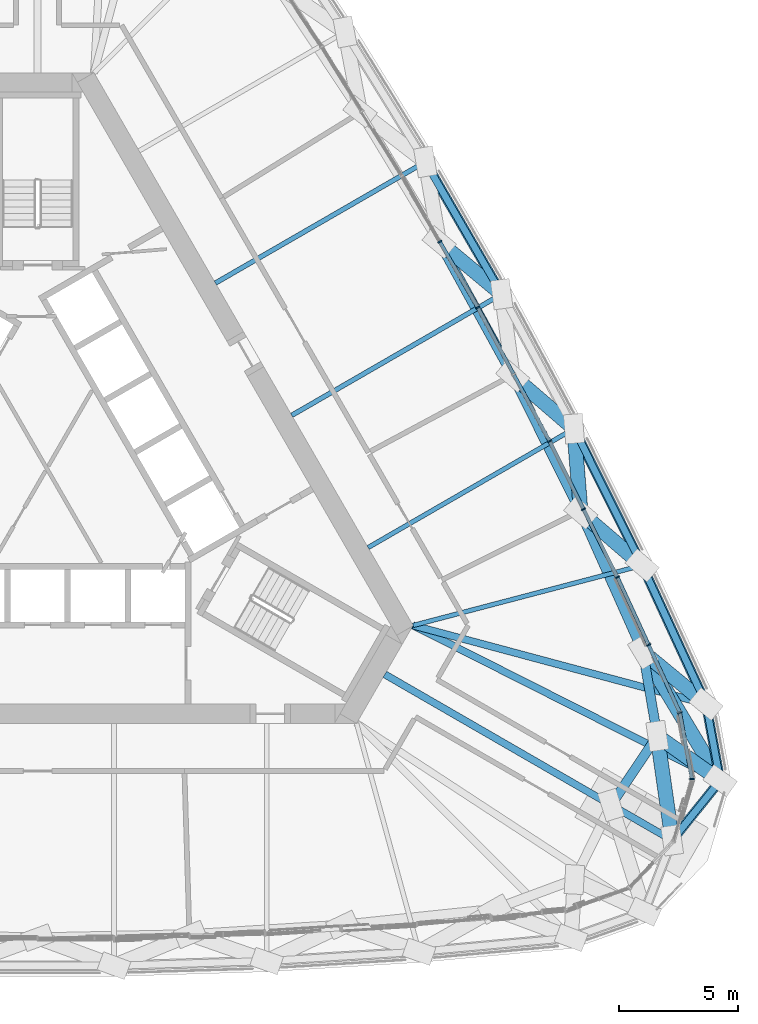
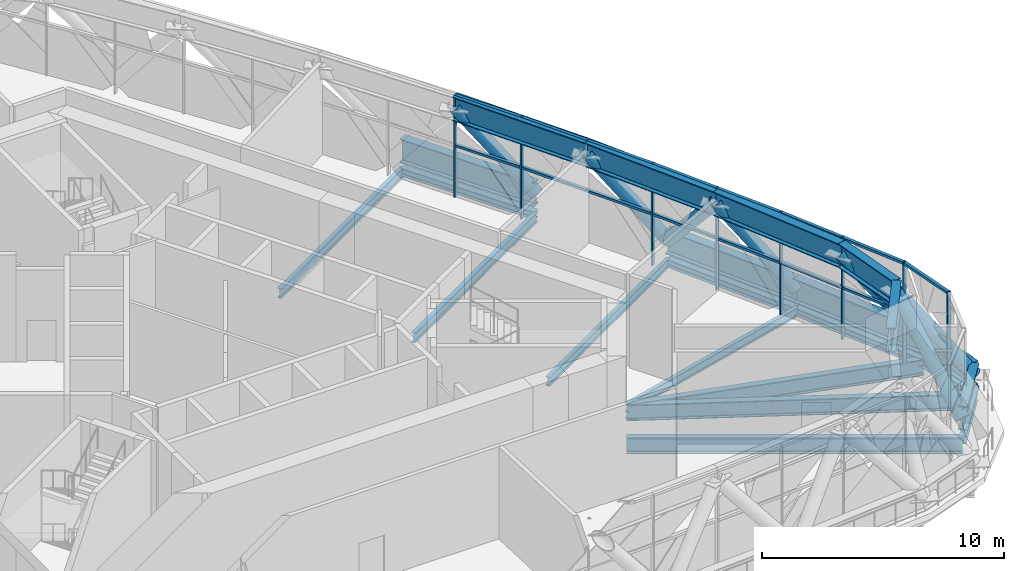
# One storey, part 6 of 35: 42 members, 12 beams, 2 elements without a shape of their own.
"""IFC4 building model written with IfcOpenShell, lengths in metres."""

from ifc_helpers import new_model, si_unit, direction, frame, origin, origin_2d, place, context, subcontext, project, spatial, rectangle, hollow_circle, i_section, extrude, material, material_profile, profile_set, type_object, element, aggregate, save


model = new_model("IFC4")

# Units and contexts
model_context = context("Model", 3, precision=1e-05, world=origin(), true_north=direction((0.0, 1.0)))
body_context = subcontext(model_context, "Body", "Model", "MODEL_VIEW")
ifc_project = project(units=[si_unit("LENGTHUNIT", "METRE"), si_unit("AREAUNIT", "SQUARE_METRE"), si_unit("VOLUMEUNIT", "CUBIC_METRE"), si_unit("PLANEANGLEUNIT", "RADIAN"), si_unit("MASSUNIT", "GRAM", prefix="KILO")], contexts=[model_context])

# Site, building, storey
site_placement = place(None, origin())
site = spatial("IfcSite", under=ifc_project, at=site_placement, CompositionType="ELEMENT")
building_placement = place(site_placement, origin())
building = spatial("IfcBuilding", under=site, at=building_placement, Name="Mestral Congress Tower", CompositionType="ELEMENT")
storey_placement = place(building_placement, frame((0.0, 0.0, 196.199951171875)))
storey = spatial("IfcBuildingStorey", under=building, at=storey_placement, Name="L46", CompositionType="ELEMENT", Elevation=196.199951171875)

# Members
ifc_material_1 = material(Name="Steel S355", Category="steel")
ifc_material_profile_1 = material_profile(ifc_material_1, i_section(OverallWidth=0.39990234375, OverallDepth=1.199951171875, WebThickness=0.02001953125, FlangeThickness=0.0400390625, FilletRadius=0.010009765625, at=origin_2d()), Name="WPG 1200")
ifc_profile_set_1 = profile_set([ifc_material_profile_1], Name="Steel S355")
member_type_1 = type_object("IfcMemberType", Name="Belt chord WPG 1200 S355", PredefinedType="CHORD", material=ifc_profile_set_1)
member_1_placement = place(storey_placement, frame((26.590576171875, -15.35205078125, 0.60009765625), z_axis=(0.626502543472, 0.779419375576, 0.0), x_axis=(-0.779419375576, 0.626502543472, 0.0)))
element("IfcMember", 1, at=member_1_placement, inside=storey, type_object=member_type_1, Name="MB-L46-BC3-SE", PredefinedType="CHORD", context=body_context, shape_type="SweptSolid", body=[
    extrude(i_section(OverallWidth=0.39990234375, OverallDepth=1.199951171875, WebThickness=0.02001953125, FlangeThickness=0.0400390625, FilletRadius=0.010009765625, at=origin_2d()), origin(), (0.0, 0.0, 1.0), 3.208984375),
])
member_2_placement = place(storey_placement, frame((28.60107421875, -12.850830078125, 0.60009765625), z_axis=(-0.180729856011, 0.983532774821, 0.0), x_axis=(-0.983532774821, -0.180729856011, 0.0)))
element("IfcMember", 2, at=member_2_placement, inside=storey, type_object=member_type_1, Name="MB-L46-BC3-SE3", PredefinedType="CHORD", context=body_context, shape_type="SweptSolid", body=[
    extrude(i_section(OverallWidth=0.39990234375, OverallDepth=1.199951171875, WebThickness=0.02001953125, FlangeThickness=0.0400390625, FilletRadius=0.010009765625, at=origin_2d()), origin(), (0.0, 0.0, 1.0), 3.260986328125),
])
member_3_placement = place(storey_placement, frame((28.01171875, -9.6435546875, 0.60009765625), z_axis=(-0.418683166857, 0.908132372394, 0.0), x_axis=(-0.908132372394, -0.418683166857, 0.0)))
element("IfcMember", 3, at=member_3_placement, inside=storey, type_object=member_type_1, Name="MB-L46-BC3-E00", PredefinedType="CHORD", context=body_context, shape_type="SweptSolid", body=[
    extrude(i_section(OverallWidth=0.39990234375, OverallDepth=1.199951171875, WebThickness=0.02001953125, FlangeThickness=0.0400390625, FilletRadius=0.010009765625, at=origin_2d()), origin(), (0.0, 0.0, 1.0), 6.399658203125),
])
member_4_placement = place(storey_placement, frame((25.332275390625, -3.831787109375, 0.60009765625), z_axis=(-0.446252014681, 0.894907335646, 0.0), x_axis=(-0.894907335646, -0.446252014681, 0.0)))
element("IfcMember", 4, at=member_4_placement, inside=storey, type_object=member_type_1, Name="MB-L46-BC3-E01", PredefinedType="CHORD", context=body_context, shape_type="SweptSolid", body=[
    extrude(i_section(OverallWidth=0.39990234375, OverallDepth=1.199951171875, WebThickness=0.02001953125, FlangeThickness=0.0400390625, FilletRadius=0.010009765625, at=origin_2d()), origin(), (0.0, 0.0, 1.0), 6.39990234375),
])
member_5_placement = place(storey_placement, frame((19.447265625, 7.532958984375, 0.60009765625), z_axis=(-0.500016352561, 0.866015962423, 0.0), x_axis=(-0.866015962423, -0.500016352561, 0.0)))
element("IfcMember", 5, at=member_5_placement, inside=storey, type_object=member_type_1, Name="MB-L46-BC3-E03", PredefinedType="CHORD", context=body_context, shape_type="SweptSolid", body=[
    extrude(i_section(OverallWidth=0.39990234375, OverallDepth=1.199951171875, WebThickness=0.02001953125, FlangeThickness=0.0400390625, FilletRadius=0.010009765625, at=origin_2d()), origin(), (0.0, 0.0, 1.0), 6.399658203125),
])
member_6_placement = place(storey_placement, frame((24.02734375, -13.872314453125, 4.550048828125), z_axis=(0.557206909955, 0.83037368666, 0.0), x_axis=(-0.83037368666, 0.557206909955, 0.0)))
element("IfcMember", 6, at=member_6_placement, inside=storey, type_object=member_type_1, Name="MB-L46-TC3-SE", PredefinedType="CHORD", context=body_context, shape_type="SweptSolid", body=[
    extrude(i_section(OverallWidth=0.39990234375, OverallDepth=1.199951171875, WebThickness=0.02001953125, FlangeThickness=0.0400390625, FilletRadius=0.010009765625, at=origin_2d()), origin(), (0.0, 0.0, 1.0), 3.480224609375),
])
member_7_placement = place(storey_placement, frame((25.966552734375, -10.982421875, 4.550048828125), z_axis=(-0.167572873606, 0.985859691859, 0.0), x_axis=(-0.985859691859, -0.167572873606, 0.0)))
element("IfcMember", 7, at=member_7_placement, inside=storey, type_object=member_type_1, Name="MB-L46-TC3-SE3", PredefinedType="CHORD", context=body_context, shape_type="SweptSolid", body=[
    extrude(i_section(OverallWidth=0.39990234375, OverallDepth=1.199951171875, WebThickness=0.02001953125, FlangeThickness=0.0400390625, FilletRadius=0.010009765625, at=origin_2d()), origin(), (0.0, 0.0, 1.0), 3.566650390625),
])
member_8_placement = place(storey_placement, frame((25.368896484375, -7.46630859375, 4.550048828125), z_axis=(-0.407628118889, 0.913148025618, 0.0), x_axis=(-0.913148025618, -0.407628118889, 0.0)))
element("IfcMember", 8, at=member_8_placement, inside=storey, type_object=member_type_1, Name="MB-L46-TC3-E00", PredefinedType="CHORD", context=body_context, shape_type="SweptSolid", body=[
    extrude(i_section(OverallWidth=0.39990234375, OverallDepth=1.199951171875, WebThickness=0.02001953125, FlangeThickness=0.0400390625, FilletRadius=0.010009765625, at=origin_2d()), origin(), (0.0, 0.0, 1.0), 6.399658203125),
])
member_9_placement = place(storey_placement, frame((22.76025390625, -1.62255859375, 4.550048828125), z_axis=(-0.445137018466, 0.895462469784, 0.0), x_axis=(-0.895462469784, -0.445137018466, 0.0)))
element("IfcMember", 9, at=member_9_placement, inside=storey, type_object=member_type_1, Name="MB-L46-TC3-E01", PredefinedType="CHORD", context=body_context, shape_type="SweptSolid", body=[
    extrude(i_section(OverallWidth=0.39990234375, OverallDepth=1.199951171875, WebThickness=0.02001953125, FlangeThickness=0.0400390625, FilletRadius=0.010009765625, at=origin_2d()), origin(), (0.0, 0.0, 1.0), 6.3994140625),
])
member_10_placement = place(storey_placement, frame((19.91162109375, 4.10791015625, 4.550048828125), z_axis=(-0.481936323111, 0.876206243111, 0.0), x_axis=(-0.876206243111, -0.481936323111, 0.0)))
element("IfcMember", 10, at=member_10_placement, inside=storey, type_object=member_type_1, Name="MB-L46-TC3-E02", PredefinedType="CHORD", context=body_context, shape_type="SweptSolid", body=[
    extrude(i_section(OverallWidth=0.39990234375, OverallDepth=1.199951171875, WebThickness=0.02001953125, FlangeThickness=0.0400390625, FilletRadius=0.010009765625, at=origin_2d()), origin(), (0.0, 0.0, 1.0), 6.399658203125),
])
ifc_material_profile_2 = material_profile(ifc_material_1, hollow_circle(Radius=0.304931640625, WallThickness=0.02490234375, at=origin_2d()), Name="CHS 610x25")
ifc_profile_set_2 = profile_set([ifc_material_profile_2], Name="Steel S355")
member_type_2 = type_object("IfcMemberType", Name="Belt diagonal CHS 610x25 S355", PredefinedType="BRACE", material=ifc_profile_set_2)
member_11_placement = place(storey_placement, frame((26.590576171875, -15.35205078125, 0.60009765625), z_axis=(-0.105351098896, 0.73770499532, 0.666852671766), x_axis=(-0.98995612989, -0.141374894849, 0.0)))
element("IfcMember", 11, at=member_11_placement, inside=storey, type_object=member_type_2, Name="MD-L46-BD3-SE.SE3", PredefinedType="BRACE", context=body_context, shape_type="SweptSolid", body=[
    extrude(hollow_circle(Radius=0.304931640625, WallThickness=0.02490234375, at=origin_2d()), origin(), (0.0, 0.0, 1.0), 5.92333984375),
])
member_12_placement = place(storey_placement, frame((28.60107421875, -12.850830078125, 0.60009765625), z_axis=(-0.51633698962, 0.366187283992, 0.774146618021), x_axis=(-0.578489134537, -0.815690088957, 0.0)))
element("IfcMember", 12, at=member_12_placement, inside=storey, type_object=member_type_2, Name="MD-L46-BD3-SE3.SE3", PredefinedType="BRACE", context=body_context, shape_type="SweptSolid", body=[
    extrude(hollow_circle(Radius=0.304931640625, WallThickness=0.02490234375, at=origin_2d()), origin(), (0.0, 0.0, 1.0), 5.102294921875),
])
member_13_placement = place(storey_placement, frame((28.60107421875, -12.850830078125, 0.60009765625), z_axis=(-0.435659817075, 0.72577062207, 0.532407295147), x_axis=(-0.857390003924, -0.514667252865, 0.0)))
element("IfcMember", 13, at=member_13_placement, inside=storey, type_object=member_type_2, Name="MD-L46-BD3-SE3.E00", PredefinedType="BRACE", context=body_context, shape_type="SweptSolid", body=[
    extrude(hollow_circle(Radius=0.304931640625, WallThickness=0.02490234375, at=origin_2d()), origin(), (0.0, 0.0, 1.0), 7.4189453125),
])
member_14_placement = place(storey_placement, frame((28.01171875, -9.6435546875, 0.60009765625), z_axis=(-0.505558929114, 0.416496492364, 0.755606273823), x_axis=(-0.635847194862, -0.771814967973, 0.0)))
element("IfcMember", 14, at=member_14_placement, inside=storey, type_object=member_type_2, Name="MD-L46-BD3-E00.E00", PredefinedType="BRACE", context=body_context, shape_type="SweptSolid", body=[
    extrude(hollow_circle(Radius=0.304931640625, WallThickness=0.02490234375, at=origin_2d()), origin(), (0.0, 0.0, 1.0), 5.2275390625),
])
member_15_placement = place(storey_placement, frame((25.332275390625, -3.831787109375, 0.60009765625), z_axis=(-0.494088989679, 0.424395943769, 0.758791244804), x_axis=(-0.651579696695, -0.758580186173, 0.0)))
element("IfcMember", 15, at=member_15_placement, inside=storey, type_object=member_type_2, Name="MD-L46-BD3-E01.E01", PredefinedType="BRACE", context=body_context, shape_type="SweptSolid", body=[
    extrude(hollow_circle(Radius=0.304931640625, WallThickness=0.02490234375, at=origin_2d()), origin(), (0.0, 0.0, 1.0), 5.20556640625),
])
member_16_placement = place(storey_placement, frame((22.476318359375, 1.8955078125, 0.60009765625), z_axis=(0.053601829149, -0.664146481549, 0.74567841256), x_axis=(0.996758947141, 0.080446263395, 0.0)))
element("IfcMember", 16, at=member_16_placement, inside=storey, type_object=member_type_2, Name="MD-L46-BD3-E02.E01", PredefinedType="BRACE", context=body_context, shape_type="SweptSolid", body=[
    extrude(hollow_circle(Radius=0.304931640625, WallThickness=0.02490234375, at=origin_2d()), origin(), (0.0, 0.0, 1.0), 5.297119140625),
])
member_17_placement = place(storey_placement, frame((22.476318359375, 1.8955078125, 0.60009765625), z_axis=(-0.492896577315, 0.425190745705, 0.75912172531), x_axis=(-0.653186261293, -0.75719727156, 0.0)))
element("IfcMember", 17, at=member_17_placement, inside=storey, type_object=member_type_2, Name="MD-L46-BD3-E02.E02", PredefinedType="BRACE", context=body_context, shape_type="SweptSolid", body=[
    extrude(hollow_circle(Radius=0.304931640625, WallThickness=0.02490234375, at=origin_2d()), origin(), (0.0, 0.0, 1.0), 5.203369140625),
])
member_18_placement = place(storey_placement, frame((19.447265625, 7.532958984375, 0.60009765625), z_axis=(-0.502073826284, 0.418231099912, 0.756970686372), x_axis=(-0.640036491773, -0.768344512051, 0.0)))
element("IfcMember", 18, at=member_18_placement, inside=storey, type_object=member_type_2, Name="MD-L46-BD3-E03.E03", PredefinedType="BRACE", context=body_context, shape_type="SweptSolid", body=[
    extrude(hollow_circle(Radius=0.304931640625, WallThickness=0.02490234375, at=origin_2d()), origin(), (0.0, 0.0, 1.0), 5.218017578125),
])

# Curtain wall, members
ifc_material_2 = material(Name="Clear low-emissivity double glazing", Category="glass")
curtain_wall_type = type_object("IfcCurtainWallType", Name="Facade refuge band screen", PredefinedType="USERDEFINED", material=ifc_material_2)
placement = place(storey_placement, origin())
curtain_wall_1 = element("IfcCurtainWall", 19, at=placement, inside=storey, type_object=curtain_wall_type, Name="Facade refuge band screen face 2", ObjectType="CURTAIN WALL", PredefinedType="USERDEFINED")
ifc_material_3 = material(Name="Anodised aluminium", Category="aluminium")
ifc_material_profile_3 = material_profile(ifc_material_3, rectangle(XDim=0.179931640625, YDim=0.06005859375, at=origin_2d()), Name="CW3 mullion 180 x 60")
ifc_profile_set_3 = profile_set([ifc_material_profile_3], Name="Anodised aluminium")
member_type_3 = type_object("IfcMemberType", Name="Facade refuge band screen mullion", PredefinedType="MULLION", material=ifc_profile_set_3)
member_19_placement = place(storey_placement, frame((25.60107421875, -7.161376953125, 0.0), z_axis=(0.0, 0.0, 1.0), x_axis=(0.908119790038, 0.418710457168, 0.0)))
member_19 = element("IfcMember", 20, at=member_19_placement, type_object=member_type_3, Name="Facade refuge band screen mullion", PredefinedType="MULLION", context=body_context, shape_type="SweptSolid", body=[
    extrude(rectangle(XDim=0.179931640625, YDim=0.06005859375, at=origin_2d()), origin(), (0.0, 0.0, 1.0), 5.150146484375),
])
member_20_placement = place(storey_placement, frame((24.295166015625, -4.3291015625, 0.0), z_axis=(0.0, 0.0, 1.0), x_axis=(0.901623526485, 0.432521694818, 0.0)))
member_20 = element("IfcMember", 21, at=member_20_placement, type_object=member_type_3, Name="Facade refuge band screen mullion", PredefinedType="MULLION", context=body_context, shape_type="SweptSolid", body=[
    extrude(rectangle(XDim=0.179931640625, YDim=0.06005859375, at=origin_2d()), origin(), (0.0, 0.0, 1.0), 5.150146484375),
])
member_21_placement = place(storey_placement, frame((22.875, -1.481201171875, 0.0), z_axis=(0.0, 0.0, 1.0), x_axis=(0.894918006997, 0.446230613868, 0.0)))
member_21 = element("IfcMember", 22, at=member_21_placement, type_object=member_type_3, Name="Facade refuge band screen mullion", PredefinedType="MULLION", context=body_context, shape_type="SweptSolid", body=[
    extrude(rectangle(XDim=0.179931640625, YDim=0.06005859375, at=origin_2d()), origin(), (0.0, 0.0, 1.0), 5.150146484375),
])
member_22_placement = place(storey_placement, frame((21.455078125, 1.36669921875, 0.0), z_axis=(0.0, 0.0, 1.0), x_axis=(0.888003259923, 0.459837156356, 0.0)))
member_22 = element("IfcMember", 23, at=member_22_placement, type_object=member_type_3, Name="Facade refuge band screen mullion", PredefinedType="MULLION", context=body_context, shape_type="SweptSolid", body=[
    extrude(rectangle(XDim=0.179931640625, YDim=0.06005859375, at=origin_2d()), origin(), (0.0, 0.0, 1.0), 5.150146484375),
])
member_23_placement = place(storey_placement, frame((18.4423828125, 6.97314453125, 0.0), z_axis=(0.0, 0.0, 1.0), x_axis=(0.873555688587, 0.486724212401, 0.0)))
member_23 = element("IfcMember", 24, at=member_23_placement, type_object=member_type_3, Name="Facade refuge band screen mullion", PredefinedType="MULLION", context=body_context, shape_type="SweptSolid", body=[
    extrude(rectangle(XDim=0.179931640625, YDim=0.06005859375, at=origin_2d()), origin(), (0.0, 0.0, 1.0), 5.150146484375),
])
member_24_placement = place(storey_placement, frame((16.851318359375, 9.72900390625, 0.0), z_axis=(0.0, 0.0, 1.0), x_axis=(0.866025403784, 0.5, 0.0)))
member_24 = element("IfcMember", 25, at=member_24_placement, type_object=member_type_3, Name="Facade refuge band screen mullion", PredefinedType="MULLION", context=body_context, shape_type="SweptSolid", body=[
    extrude(rectangle(XDim=0.179931640625, YDim=0.06005859375, at=origin_2d()), origin(), (0.0, 0.0, 1.0), 5.150146484375),
])

curtain_wall_2 = element("IfcCurtainWall", 26, at=placement, inside=storey, type_object=curtain_wall_type, Name="Facade refuge band screen corner 1", ObjectType="CURTAIN WALL", PredefinedType="USERDEFINED")
member_25_placement = place(storey_placement, frame((27.420166015625, -12.78759765625, 0.0), z_axis=(0.0, 0.0, 1.0), x_axis=(0.998573622053, -0.0533921468, 0.0)))
member_25 = element("IfcMember", 27, at=member_25_placement, type_object=member_type_3, Name="Facade refuge band screen mullion", PredefinedType="MULLION", context=body_context, shape_type="SweptSolid", body=[
    extrude(rectangle(XDim=0.179931640625, YDim=0.06005859375, at=origin_2d()), origin(), (0.0, 0.0, 1.0), 5.150146484375),
])
member_26_placement = place(storey_placement, frame((26.906982421875, -9.99365234375, 0.0), z_axis=(0.0, 0.0, 1.0), x_axis=(0.983542787462, 0.180675358674, 0.0)))
member_26 = element("IfcMember", 28, at=member_26_placement, type_object=member_type_3, Name="Facade refuge band screen mullion", PredefinedType="MULLION", context=body_context, shape_type="SweptSolid", body=[
    extrude(rectangle(XDim=0.179931640625, YDim=0.06005859375, at=origin_2d()), origin(), (0.0, 0.0, 1.0), 5.150146484375),
])

# Member
ifc_material_profile_4 = material_profile(ifc_material_3, rectangle(XDim=0.14990234375, YDim=0.1201171875, at=origin_2d()), Name="CW3 transom 150 x 120")
ifc_profile_set_4 = profile_set([ifc_material_profile_4], Name="Anodised aluminium")
member_type_4 = type_object("IfcMemberType", Name="Facade refuge band screen transom", PredefinedType="USERDEFINED", material=ifc_profile_set_4)
member_27_placement = place(storey_placement, frame((26.894287109375, -9.96630859375, 2.60009765625), z_axis=(-0.418734199575, 0.908108842654, 0.0), x_axis=(-0.908108842654, -0.418734199575, 0.0)))
member_27 = element("IfcMember", 29, at=member_27_placement, type_object=member_type_4, Name="Facade refuge band screen transom", ObjectType="TRANSOM", PredefinedType="USERDEFINED", context=body_context, shape_type="SweptSolid", body=[
    extrude(rectangle(XDim=0.14990234375, YDim=0.1201171875, at=origin_2d()), origin(), (0.0, 0.0, 1.0), 3.05859375),
])

member_28_placement = place(storey_placement, frame((26.894287109375, -9.96630859375, 5.090087890625), z_axis=(-0.418734199575, 0.908108842654, 0.0), x_axis=(-0.908108842654, -0.418734199575, 0.0)))
member_28 = element("IfcMember", 30, at=member_28_placement, type_object=member_type_4, Name="Facade refuge band screen transom", ObjectType="TRANSOM", PredefinedType="USERDEFINED", context=body_context, shape_type="SweptSolid", body=[
    extrude(rectangle(XDim=0.14990234375, YDim=0.1201171875, at=origin_2d()), origin(), (0.0, 0.0, 1.0), 3.05859375),
])

member_29_placement = place(storey_placement, frame((25.58837890625, -7.13427734375, 2.60009765625), z_axis=(-0.418703849599, 0.908122836587, 0.0), x_axis=(-0.908122836587, -0.418703849599, 0.0)))
member_29 = element("IfcMember", 31, at=member_29_placement, type_object=member_type_4, Name="Facade refuge band screen transom", ObjectType="TRANSOM", PredefinedType="USERDEFINED", context=body_context, shape_type="SweptSolid", body=[
    extrude(rectangle(XDim=0.14990234375, YDim=0.1201171875, at=origin_2d()), origin(), (0.0, 0.0, 1.0), 3.058837890625),
])

member_30_placement = place(storey_placement, frame((25.58837890625, -7.13427734375, 5.090087890625), z_axis=(-0.418703849599, 0.908122836587, 0.0), x_axis=(-0.908122836587, -0.418703849599, 0.0)))
member_30 = element("IfcMember", 32, at=member_30_placement, type_object=member_type_4, Name="Facade refuge band screen transom", ObjectType="TRANSOM", PredefinedType="USERDEFINED", context=body_context, shape_type="SweptSolid", body=[
    extrude(rectangle(XDim=0.14990234375, YDim=0.1201171875, at=origin_2d()), origin(), (0.0, 0.0, 1.0), 3.058837890625),
])

member_31_placement = place(storey_placement, frame((24.28173828125, -4.302490234375, 2.60009765625), z_axis=(-0.446212523486, 0.894927027128, 0.0), x_axis=(-0.894927027128, -0.446212523486, 0.0)))
member_31 = element("IfcMember", 33, at=member_31_placement, type_object=member_type_4, Name="Facade refuge band screen transom", ObjectType="TRANSOM", PredefinedType="USERDEFINED", context=body_context, shape_type="SweptSolid", body=[
    extrude(rectangle(XDim=0.14990234375, YDim=0.1201171875, at=origin_2d()), origin(), (0.0, 0.0, 1.0), 3.12255859375),
])

member_32_placement = place(storey_placement, frame((24.28173828125, -4.302490234375, 5.090087890625), z_axis=(-0.446212523486, 0.894927027128, 0.0), x_axis=(-0.894927027128, -0.446212523486, 0.0)))
member_32 = element("IfcMember", 34, at=member_32_placement, type_object=member_type_4, Name="Facade refuge band screen transom", ObjectType="TRANSOM", PredefinedType="USERDEFINED", context=body_context, shape_type="SweptSolid", body=[
    extrude(rectangle(XDim=0.14990234375, YDim=0.1201171875, at=origin_2d()), origin(), (0.0, 0.0, 1.0), 3.12255859375),
])

member_33_placement = place(storey_placement, frame((22.86181640625, -1.454345703125, 2.60009765625), z_axis=(-0.446243747582, 0.894911458047, 0.0), x_axis=(-0.894911458047, -0.446243747582, 0.0)))
member_33 = element("IfcMember", 35, at=member_33_placement, type_object=member_type_4, Name="Facade refuge band screen transom", ObjectType="TRANSOM", PredefinedType="USERDEFINED", context=body_context, shape_type="SweptSolid", body=[
    extrude(rectangle(XDim=0.14990234375, YDim=0.1201171875, at=origin_2d()), origin(), (0.0, 0.0, 1.0), 3.122314453125),
])

member_34_placement = place(storey_placement, frame((22.86181640625, -1.454345703125, 5.090087890625), z_axis=(-0.446243747582, 0.894911458047, 0.0), x_axis=(-0.894911458047, -0.446243747582, 0.0)))
member_34 = element("IfcMember", 36, at=member_34_placement, type_object=member_type_4, Name="Facade refuge band screen transom", ObjectType="TRANSOM", PredefinedType="USERDEFINED", context=body_context, shape_type="SweptSolid", body=[
    extrude(rectangle(XDim=0.14990234375, YDim=0.1201171875, at=origin_2d()), origin(), (0.0, 0.0, 1.0), 3.122314453125),
])

member_35_placement = place(storey_placement, frame((21.44091796875, 1.39306640625, 2.60009765625), z_axis=(-0.473353633423, 0.880872486644, 0.0), x_axis=(-0.880872486644, -0.473353633423, 0.0)))
member_35 = element("IfcMember", 37, at=member_35_placement, type_object=member_type_4, Name="Facade refuge band screen transom", ObjectType="TRANSOM", PredefinedType="USERDEFINED", context=body_context, shape_type="SweptSolid", body=[
    extrude(rectangle(XDim=0.14990234375, YDim=0.1201171875, at=origin_2d()), origin(), (0.0, 0.0, 1.0), 3.12255859375),
])

member_36_placement = place(storey_placement, frame((21.44091796875, 1.39306640625, 5.090087890625), z_axis=(-0.473353633423, 0.880872486644, 0.0), x_axis=(-0.880872486644, -0.473353633423, 0.0)))
member_36 = element("IfcMember", 38, at=member_36_placement, type_object=member_type_4, Name="Facade refuge band screen transom", ObjectType="TRANSOM", PredefinedType="USERDEFINED", context=body_context, shape_type="SweptSolid", body=[
    extrude(rectangle(XDim=0.14990234375, YDim=0.1201171875, at=origin_2d()), origin(), (0.0, 0.0, 1.0), 3.12255859375),
])

member_37_placement = place(storey_placement, frame((19.9345703125, 4.1962890625, 2.60009765625), z_axis=(-0.473292960698, 0.880905087597, 0.0), x_axis=(-0.880905087597, -0.473292960698, 0.0)))
member_37 = element("IfcMember", 39, at=member_37_placement, type_object=member_type_4, Name="Facade refuge band screen transom", ObjectType="TRANSOM", PredefinedType="USERDEFINED", context=body_context, shape_type="SweptSolid", body=[
    extrude(rectangle(XDim=0.14990234375, YDim=0.1201171875, at=origin_2d()), origin(), (0.0, 0.0, 1.0), 3.122314453125),
])

member_38_placement = place(storey_placement, frame((19.9345703125, 4.1962890625, 5.090087890625), z_axis=(-0.473292960698, 0.880905087597, 0.0), x_axis=(-0.880905087597, -0.473292960698, 0.0)))
member_38 = element("IfcMember", 40, at=member_38_placement, type_object=member_type_4, Name="Facade refuge band screen transom", ObjectType="TRANSOM", PredefinedType="USERDEFINED", context=body_context, shape_type="SweptSolid", body=[
    extrude(rectangle(XDim=0.14990234375, YDim=0.1201171875, at=origin_2d()), origin(), (0.0, 0.0, 1.0), 3.122314453125),
])

member_39_placement = place(storey_placement, frame((18.427490234375, 6.9990234375, 2.60009765625), z_axis=(-0.500015740354, 0.866016315896, 0.0), x_axis=(-0.866016315896, -0.500015740354, 0.0)))
member_39 = element("IfcMember", 41, at=member_39_placement, type_object=member_type_4, Name="Facade refuge band screen transom", ObjectType="TRANSOM", PredefinedType="USERDEFINED", context=body_context, shape_type="SweptSolid", body=[
    extrude(rectangle(XDim=0.14990234375, YDim=0.1201171875, at=origin_2d()), origin(), (0.0, 0.0, 1.0), 3.12255859375),
])

member_40_placement = place(storey_placement, frame((18.427490234375, 6.9990234375, 5.090087890625), z_axis=(-0.500015740354, 0.866016315896, 0.0), x_axis=(-0.866016315896, -0.500015740354, 0.0)))
member_40 = element("IfcMember", 42, at=member_40_placement, type_object=member_type_4, Name="Facade refuge band screen transom", ObjectType="TRANSOM", PredefinedType="USERDEFINED", context=body_context, shape_type="SweptSolid", body=[
    extrude(rectangle(XDim=0.14990234375, YDim=0.1201171875, at=origin_2d()), origin(), (0.0, 0.0, 1.0), 3.12255859375),
])

aggregate(curtain_wall_1, [member_19, member_20, member_21, member_22, member_23, member_24, member_27, member_28, member_29, member_30, member_31, member_32, member_33, member_34, member_35, member_36, member_37, member_38, member_39, member_40])

member_41_placement = place(storey_placement, frame((27.414794921875, -12.75830078125, 2.60009765625), z_axis=(-0.180677518527, 0.983542390698, 0.0), x_axis=(-0.983542390698, -0.180677518527, 0.0)))
member_41 = element("IfcMember", 43, at=member_41_placement, type_object=member_type_4, Name="Facade refuge band screen transom", ObjectType="TRANSOM", PredefinedType="USERDEFINED", context=body_context, shape_type="SweptSolid", body=[
    extrude(rectangle(XDim=0.14990234375, YDim=0.1201171875, at=origin_2d()), origin(), (0.0, 0.0, 1.0), 2.78076171875),
])

member_42_placement = place(storey_placement, frame((27.414794921875, -12.75830078125, 5.090087890625), z_axis=(-0.180677518527, 0.983542390698, 0.0), x_axis=(-0.983542390698, -0.180677518527, 0.0)))
member_42 = element("IfcMember", 44, at=member_42_placement, type_object=member_type_4, Name="Facade refuge band screen transom", ObjectType="TRANSOM", PredefinedType="USERDEFINED", context=body_context, shape_type="SweptSolid", body=[
    extrude(rectangle(XDim=0.14990234375, YDim=0.1201171875, at=origin_2d()), origin(), (0.0, 0.0, 1.0), 2.78076171875),
])

aggregate(curtain_wall_2, [member_25, member_26, member_41, member_42])

# Beams
ifc_material_profile_5 = material_profile(ifc_material_1, i_section(OverallWidth=0.300048828125, OverallDepth=0.800048828125, WebThickness=0.017578125, FlangeThickness=0.032958984375, FilletRadius=0.030029296875, at=origin_2d()), Name="HEB 800")
ifc_profile_set_5 = profile_set([ifc_material_profile_5], Name="Steel S355")
beam_type_1 = type_object("IfcBeamType", Name="Floor beam HEB 800 S355", PredefinedType="BEAM", material=ifc_profile_set_5)
beam_1_placement = place(storey_placement, frame((26.590576171875, -15.35205078125, -0.699951171875), z_axis=(-0.866033538886, 0.499985909326, 0.0), x_axis=(-0.499985909326, -0.866033538886, 0.0)))
element("IfcBeam", 45, at=beam_1_placement, inside=storey, type_object=beam_type_1, Name="BM-L46-RB3-SE", PredefinedType="BEAM", context=body_context, shape_type="SweptSolid", body=[
    extrude(i_section(OverallWidth=0.300048828125, OverallDepth=0.800048828125, WebThickness=0.017578125, FlangeThickness=0.032958984375, FilletRadius=0.030029296875, at=origin_2d()), origin(), (0.0, 0.0, 1.0), 13.904296875),
])
beam_2_placement = place(storey_placement, frame((28.60107421875, -12.850830078125, -0.699951171875), z_axis=(-0.892570324635, 0.450908211924, 0.0), x_axis=(-0.450908211924, -0.892570324635, 0.0)))
element("IfcBeam", 46, at=beam_2_placement, inside=storey, type_object=beam_type_1, Name="BM-L46-RB3-SE3", PredefinedType="BEAM", context=body_context, shape_type="SweptSolid", body=[
    extrude(i_section(OverallWidth=0.300048828125, OverallDepth=0.800048828125, WebThickness=0.017578125, FlangeThickness=0.032958984375, FilletRadius=0.030029296875, at=origin_2d()), origin(), (0.0, 0.0, 1.0), 14.4169921875),
])
beam_3_placement = place(storey_placement, frame((28.01171875, -9.6435546875, -0.699951171875), z_axis=(-0.965859716189, 0.259065645433, 0.0), x_axis=(-0.259065645433, -0.965859716189, 0.0)))
element("IfcBeam", 47, at=beam_3_placement, inside=storey, type_object=beam_type_1, Name="BM-L46-RB3-E00", PredefinedType="BEAM", context=body_context, shape_type="SweptSolid", body=[
    extrude(i_section(OverallWidth=0.300048828125, OverallDepth=0.800048828125, WebThickness=0.017578125, FlangeThickness=0.032958984375, FilletRadius=0.030029296875, at=origin_2d()), origin(), (0.0, 0.0, 1.0), 12.712890625),
])
ifc_material_profile_6 = material_profile(ifc_material_1, i_section(OverallWidth=0.18994140625, OverallDepth=0.449951171875, WebThickness=0.009521484375, FlangeThickness=0.0146484375, FilletRadius=0.02099609375, at=origin_2d()), Name="IPE 450")
ifc_profile_set_6 = profile_set([ifc_material_profile_6], Name="Steel S355")
beam_type_2 = type_object("IfcBeamType", Name="Floor beam IPE 450 S355", PredefinedType="BEAM", material=ifc_profile_set_6)
beam_4_placement = place(storey_placement, frame((25.332275390625, -3.831787109375, -0.52490234375), z_axis=(-0.967268637676, -0.253754571521, 0.0), x_axis=(0.253754571521, -0.967268637676, 0.0)))
element("IfcBeam", 48, at=beam_4_placement, inside=storey, type_object=beam_type_2, Name="BM-L46-RB3-E01", PredefinedType="BEAM", context=body_context, shape_type="SweptSolid", body=[
    extrude(i_section(OverallWidth=0.18994140625, OverallDepth=0.449951171875, WebThickness=0.009521484375, FlangeThickness=0.0146484375, FilletRadius=0.02099609375, at=origin_2d()), origin(), (0.0, 0.0, 1.0), 9.92431640625),
])
beam_5_placement = place(storey_placement, frame((22.476318359375, 1.8955078125, -0.52490234375), z_axis=(-0.866020719064, -0.500008114086, 0.0), x_axis=(0.500008114086, -0.866020719064, 0.0)))
element("IfcBeam", 49, at=beam_5_placement, inside=storey, type_object=beam_type_2, Name="BM-L46-RB3-E02", PredefinedType="BEAM", context=body_context, shape_type="SweptSolid", body=[
    extrude(i_section(OverallWidth=0.18994140625, OverallDepth=0.449951171875, WebThickness=0.009521484375, FlangeThickness=0.0146484375, FilletRadius=0.02099609375, at=origin_2d()), origin(), (0.0, 0.0, 1.0), 9.962646484375),
])
ifc_material_profile_7 = material_profile(ifc_material_1, i_section(OverallWidth=0.199951171875, OverallDepth=0.5, WebThickness=0.01025390625, FlangeThickness=0.01611328125, FilletRadius=0.02099609375, at=origin_2d()), Name="IPE 500")
ifc_profile_set_7 = profile_set([ifc_material_profile_7], Name="Steel S355")
beam_type_3 = type_object("IfcBeamType", Name="Floor beam IPE 500 S355", PredefinedType="BEAM", material=ifc_profile_set_7)
for number, where, z_axis, x_axis, name in (
    (50, (19.447265625, 7.532958984375, -0.550048828125), (-0.866027897259, -0.49999568115, 0.0), (0.49999568115, -0.866027897259, 0.0), "BM-L46-RB3-E03"),
    (51, (16.247314453125, 13.0751953125, -0.550048828125), (-0.866027897259, -0.49999568115, 0.0), (0.49999568115, -0.866027897259, 0.0), "BM-L46-RB3-E04"),
):
    element("IfcBeam", number, at=place(storey_placement, frame(where, z_axis=z_axis, x_axis=x_axis)), inside=storey, type_object=beam_type_3, Name=name, PredefinedType="BEAM", context=body_context, shape_type="SweptSolid", body=[
        extrude(i_section(OverallWidth=0.199951171875, OverallDepth=0.5, WebThickness=0.01025390625, FlangeThickness=0.01611328125, FilletRadius=0.02099609375, at=origin_2d()), origin(), (0.0, 0.0, 1.0), 10.158203125),
    ])
ifc_material_profile_8 = material_profile(ifc_material_1, i_section(OverallWidth=0.300048828125, OverallDepth=0.389892578125, WebThickness=0.010986328125, FlangeThickness=0.01904296875, FilletRadius=0.027099609375, at=origin_2d()), Name="HEA 400")
ifc_profile_set_8 = profile_set([ifc_material_profile_8], Name="Steel S355")
beam_type_4 = type_object("IfcBeamType", Name="Spandrel beam HEA 400 S355", PredefinedType="BEAM", material=ifc_profile_set_8)
beam_6_placement = place(storey_placement, frame((26.590576171875, -15.35205078125, -0.494873046875), z_axis=(0.626502543472, 0.779419375576, 0.0), x_axis=(-0.779419375576, 0.626502543472, 0.0)))
element("IfcBeam", 52, at=beam_6_placement, inside=storey, type_object=beam_type_4, Name="SP-L46-SB3-SE", PredefinedType="BEAM", context=body_context, shape_type="SweptSolid", body=[
    extrude(i_section(OverallWidth=0.300048828125, OverallDepth=0.389892578125, WebThickness=0.010986328125, FlangeThickness=0.01904296875, FilletRadius=0.027099609375, at=origin_2d()), origin(), (0.0, 0.0, 1.0), 3.208984375),
])
beam_7_placement = place(storey_placement, frame((28.60107421875, -12.850830078125, -0.494873046875), z_axis=(-0.180729856011, 0.983532774821, 0.0), x_axis=(-0.983532774821, -0.180729856011, 0.0)))
element("IfcBeam", 53, at=beam_7_placement, inside=storey, type_object=beam_type_4, Name="SP-L46-SB3-SE3", PredefinedType="BEAM", context=body_context, shape_type="SweptSolid", body=[
    extrude(i_section(OverallWidth=0.300048828125, OverallDepth=0.389892578125, WebThickness=0.010986328125, FlangeThickness=0.01904296875, FilletRadius=0.027099609375, at=origin_2d()), origin(), (0.0, 0.0, 1.0), 3.260986328125),
])
beam_8_placement = place(storey_placement, frame((28.01171875, -9.6435546875, -0.494873046875), z_axis=(-0.418683166857, 0.908132372394, 0.0), x_axis=(-0.908132372394, -0.418683166857, 0.0)))
element("IfcBeam", 54, at=beam_8_placement, inside=storey, type_object=beam_type_4, Name="SP-L46-SB3-E00", PredefinedType="BEAM", context=body_context, shape_type="SweptSolid", body=[
    extrude(i_section(OverallWidth=0.300048828125, OverallDepth=0.389892578125, WebThickness=0.010986328125, FlangeThickness=0.01904296875, FilletRadius=0.027099609375, at=origin_2d()), origin(), (0.0, 0.0, 1.0), 6.399658203125),
])
beam_9_placement = place(storey_placement, frame((25.332275390625, -3.831787109375, -0.494873046875), z_axis=(-0.446252014681, 0.894907335646, 0.0), x_axis=(-0.894907335646, -0.446252014681, 0.0)))
element("IfcBeam", 55, at=beam_9_placement, inside=storey, type_object=beam_type_4, Name="SP-L46-SB3-E01", PredefinedType="BEAM", context=body_context, shape_type="SweptSolid", body=[
    extrude(i_section(OverallWidth=0.300048828125, OverallDepth=0.389892578125, WebThickness=0.010986328125, FlangeThickness=0.01904296875, FilletRadius=0.027099609375, at=origin_2d()), origin(), (0.0, 0.0, 1.0), 6.39990234375),
])
beam_10_placement = place(storey_placement, frame((19.447265625, 7.532958984375, -0.494873046875), z_axis=(-0.500016352561, 0.866015962423, 0.0), x_axis=(-0.866015962423, -0.500016352561, 0.0)))
element("IfcBeam", 56, at=beam_10_placement, inside=storey, type_object=beam_type_4, Name="SP-L46-SB3-E03", PredefinedType="BEAM", context=body_context, shape_type="SweptSolid", body=[
    extrude(i_section(OverallWidth=0.300048828125, OverallDepth=0.389892578125, WebThickness=0.010986328125, FlangeThickness=0.01904296875, FilletRadius=0.027099609375, at=origin_2d()), origin(), (0.0, 0.0, 1.0), 6.399658203125),
])

save(model, "model.ifc")
